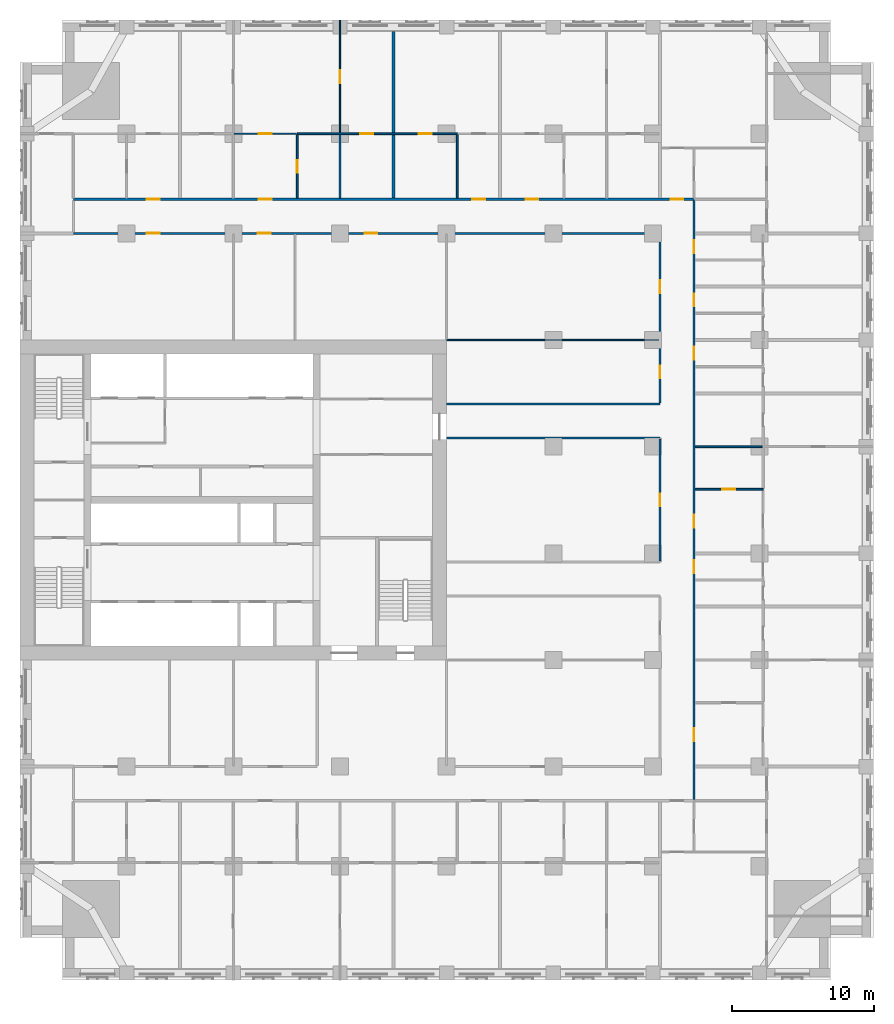
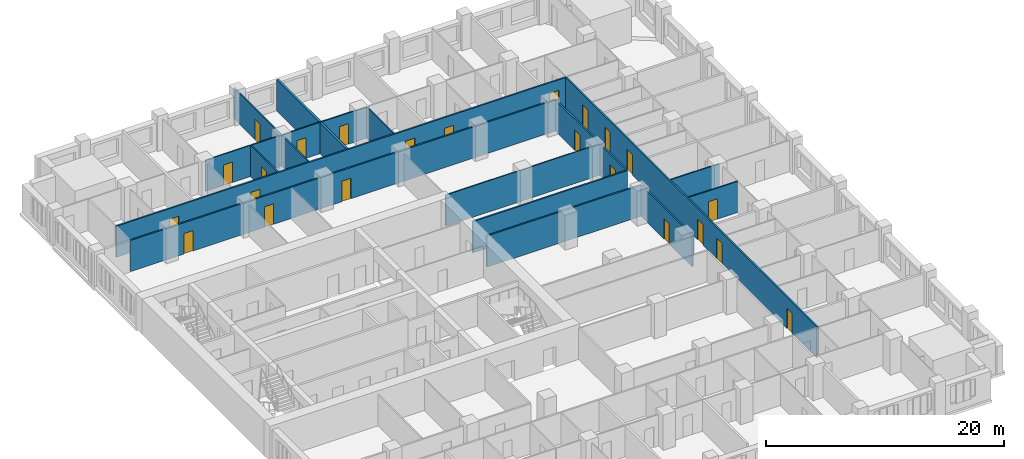
# One storey, part 9 of 14: 23 doors, 17 walls, 23 openings.
"""IFC4 building model written with IfcOpenShell, lengths in metres."""

from ifc_helpers import new_model, si_unit, direction, frame, frame_2d, origin, place, context, subcontext, project, spatial, rectangle, extrude, material, layer, layer_set, type_object, element, fill, save


model = new_model("IFC4")

# Units and contexts
model_context = context("Model", 3, precision=1e-05, world=origin(), true_north=direction((0.0, 1.0)))
body_context = subcontext(model_context, "Body", "Model", "MODEL_VIEW")
ifc_project = project(units=[si_unit("LENGTHUNIT", "METRE"), si_unit("AREAUNIT", "SQUARE_METRE"), si_unit("VOLUMEUNIT", "CUBIC_METRE"), si_unit("PLANEANGLEUNIT", "RADIAN"), si_unit("MASSUNIT", "GRAM", prefix="KILO")], contexts=[model_context])

# Site, building, storey
site_placement = place(None, origin())
site = spatial("IfcSite", under=ifc_project, at=site_placement, CompositionType="ELEMENT")
building_placement = place(site_placement, origin())
building = spatial("IfcBuilding", under=site, at=building_placement, Name="Tamorin Gate", CompositionType="ELEMENT")
storey_placement = place(building_placement, frame((0.0, 0.0, 70.0)))
storey = spatial("IfcBuildingStorey", under=building, at=storey_placement, Name="L16", CompositionType="ELEMENT", Elevation=70.0)

# Wall, openings, doors
ifc_material_1 = material(Name="Gypsum board partition")
ifc_layer_1 = layer(ifc_material_1, 0.14990234375)
ifc_layer_set_1 = layer_set([ifc_layer_1], Name="Corridor wall 150")
wall_type_1 = type_object("IfcWallType", Name="Corridor wall 150", PredefinedType="PARTITIONING", material=ifc_layer_set_1)
wall_1_placement = place(storey_placement, frame((33.75, 90.0, 0.0), z_axis=(0.0, 0.0, 1.0), x_axis=(1.0, 0.0, 0.0)))
wall_1 = element("IfcWall", 1, at=wall_1_placement, inside=storey, type_object=wall_type_1, Name="Corridor wall 150", PredefinedType="PARTITIONING", context=body_context, shape_type="SweptSolid", body=[
    extrude(rectangle(XDim=41.25, YDim=0.14990234375, at=frame_2d((20.625, 0.0))), origin(), (0.0, 0.0, 1.0), 3.199951171875),
])
opening_1_placement = place(wall_1_placement, frame((5.175048828125, 0.0, 0.0)))
opening_1 = element("IfcOpeningElement", 2, at=opening_1_placement, cuts=wall_1, Name="Opening DH3077", PredefinedType="OPENING", context=body_context, shape_type="SweptSolid", body=[
    extrude(rectangle(XDim=0.89990234375, YDim=2.10009765625, at=frame_2d((0.449951171875, 1.050048828125))), frame((0.0, 0.0849609375, 0.0), z_axis=(0.0, -1.0, 0.0), x_axis=(1.0, 0.0, 0.0)), (0.0, 0.0, 1.0), 0.169921875),
])
opening_2_placement = place(wall_1_placement, frame((12.97509765625, 0.0, 0.0)))
opening_2 = element("IfcOpeningElement", 3, at=opening_2_placement, cuts=wall_1, Name="Opening DH3078", PredefinedType="OPENING", context=body_context, shape_type="SweptSolid", body=[
    extrude(rectangle(XDim=0.89990234375, YDim=2.10009765625, at=frame_2d((0.449951171875, 1.050048828125))), frame((0.0, 0.0849609375, 0.0), z_axis=(0.0, -1.0, 0.0), x_axis=(1.0, 0.0, 0.0)), (0.0, 0.0, 1.0), 0.169921875),
])
opening_3_placement = place(wall_1_placement, frame((20.47509765625, 0.0, 0.0)))
opening_3 = element("IfcOpeningElement", 4, at=opening_3_placement, cuts=wall_1, Name="Opening DH3079", PredefinedType="OPENING", context=body_context, shape_type="SweptSolid", body=[
    extrude(rectangle(XDim=0.89990234375, YDim=2.10009765625, at=frame_2d((0.449951171875, 1.050048828125))), frame((0.0, 0.0849609375, 0.0), z_axis=(0.0, -1.0, 0.0), x_axis=(1.0, 0.0, 0.0)), (0.0, 0.0, 1.0), 0.169921875),
])
ifc_material_2 = material(Name="Timber door leaf", Category="wood")
door_type_1 = type_object("IfcDoorType", Name="Door 900 x 2100 FD30S", OperationType="NOTDEFINED", PredefinedType="DOOR", material=ifc_material_2)
door_1_placement = place(opening_1_placement, origin())
door_1 = element("IfcDoor", 5, at=door_1_placement, inside=storey, type_object=door_type_1, Name="Door DH3077", OperationType="SINGLE_SWING_RIGHT", OverallHeight=2.10009765625, OverallWidth=0.89990234375, PredefinedType="DOOR", context=body_context, shape_type="SweptSolid", body=[
    extrude(rectangle(XDim=0.89990234375, YDim=2.10009765625, at=frame_2d((0.449951171875, 1.050048828125))), frame((0.0, 0.02490234375, 0.0), z_axis=(0.0, -1.0, 0.0), x_axis=(1.0, 0.0, 0.0)), (0.0, 0.0, 1.0), 0.050048828125),
])
fill(opening_1, door_1)
door_2_placement = place(opening_2_placement, origin())
door_2 = element("IfcDoor", 6, at=door_2_placement, inside=storey, type_object=door_type_1, Name="Door DH3078", OperationType="SINGLE_SWING_RIGHT", OverallHeight=2.10009765625, OverallWidth=0.89990234375, PredefinedType="DOOR", context=body_context, shape_type="SweptSolid", body=[
    extrude(rectangle(XDim=0.89990234375, YDim=2.10009765625, at=frame_2d((0.449951171875, 1.050048828125))), frame((0.0, 0.02490234375, 0.0), z_axis=(0.0, -1.0, 0.0), x_axis=(1.0, 0.0, 0.0)), (0.0, 0.0, 1.0), 0.050048828125),
])
fill(opening_2, door_2)
door_3_placement = place(opening_3_placement, origin())
door_3 = element("IfcDoor", 7, at=door_3_placement, inside=storey, type_object=door_type_1, Name="Door DH3079", OperationType="SINGLE_SWING_RIGHT", OverallHeight=2.10009765625, OverallWidth=0.89990234375, PredefinedType="DOOR", context=body_context, shape_type="SweptSolid", body=[
    extrude(rectangle(XDim=0.89990234375, YDim=2.10009765625, at=frame_2d((0.449951171875, 1.050048828125))), frame((0.0, 0.02490234375, 0.0), z_axis=(0.0, -1.0, 0.0), x_axis=(1.0, 0.0, 0.0)), (0.0, 0.0, 1.0), 0.050048828125),
])
fill(opening_3, door_3)

wall_2_placement = place(storey_placement, frame((33.75, 92.39990234375, 0.0), z_axis=(0.0, 0.0, 1.0), x_axis=(1.0, 0.0, 0.0)))
wall_2 = element("IfcWall", 8, at=wall_2_placement, inside=storey, type_object=wall_type_1, Name="Corridor wall 150", PredefinedType="PARTITIONING", context=body_context, shape_type="SweptSolid", body=[
    extrude(rectangle(XDim=43.64990234375, YDim=0.14990234375, at=frame_2d((21.824951171875, 0.0))), origin(), (0.0, 0.0, 1.0), 3.199951171875),
])
opening_4_placement = place(wall_2_placement, frame((5.175048828125, 0.0, 0.0)))
opening_4 = element("IfcOpeningElement", 9, at=opening_4_placement, cuts=wall_2, Name="Opening DH3022", PredefinedType="OPENING", context=body_context, shape_type="SweptSolid", body=[
    extrude(rectangle(XDim=0.89990234375, YDim=2.10009765625, at=frame_2d((0.449951171875, 1.050048828125))), frame((0.0, 0.0849609375, 0.0), z_axis=(0.0, -1.0, 0.0), x_axis=(1.0, 0.0, 0.0)), (0.0, 0.0, 1.0), 0.169921875),
])
opening_5_placement = place(wall_2_placement, frame((13.050048828125, 0.0, 0.0)))
opening_5 = element("IfcOpeningElement", 10, at=opening_5_placement, cuts=wall_2, Name="Opening DH3025", PredefinedType="OPENING", context=body_context, shape_type="SweptSolid", body=[
    extrude(rectangle(XDim=0.89990234375, YDim=2.10009765625, at=frame_2d((0.449951171875, 1.050048828125))), frame((0.0, 0.0849609375, 0.0), z_axis=(0.0, -1.0, 0.0), x_axis=(1.0, 0.0, 0.0)), (0.0, 0.0, 1.0), 0.169921875),
])
opening_6_placement = place(wall_2_placement, frame((28.050048828125, 0.0, 0.0)))
opening_6 = element("IfcOpeningElement", 11, at=opening_6_placement, cuts=wall_2, Name="Opening DH3032", PredefinedType="OPENING", context=body_context, shape_type="SweptSolid", body=[
    extrude(rectangle(XDim=0.89990234375, YDim=2.10009765625, at=frame_2d((0.449951171875, 1.050048828125))), frame((0.0, 0.0849609375, 0.0), z_axis=(0.0, -1.0, 0.0), x_axis=(1.0, 0.0, 0.0)), (0.0, 0.0, 1.0), 0.169921875),
])
opening_7_placement = place(wall_2_placement, frame((31.800048828125, 0.0, 0.0)))
opening_7 = element("IfcOpeningElement", 12, at=opening_7_placement, cuts=wall_2, Name="Opening DH3034", PredefinedType="OPENING", context=body_context, shape_type="SweptSolid", body=[
    extrude(rectangle(XDim=0.89990234375, YDim=2.10009765625, at=frame_2d((0.449951171875, 1.050048828125))), frame((0.0, 0.0849609375, 0.0), z_axis=(0.0, -1.0, 0.0), x_axis=(1.0, 0.0, 0.0)), (0.0, 0.0, 1.0), 0.169921875),
])
opening_8_placement = place(wall_2_placement, frame((42.0, 0.0, 0.0)))
opening_8 = element("IfcOpeningElement", 13, at=opening_8_placement, cuts=wall_2, Name="Opening DH3067", PredefinedType="OPENING", context=body_context, shape_type="SweptSolid", body=[
    extrude(rectangle(XDim=0.89990234375, YDim=2.10009765625, at=frame_2d((0.449951171875, 1.050048828125))), frame((0.0, 0.0849609375, 0.0), z_axis=(0.0, -1.0, 0.0), x_axis=(1.0, 0.0, 0.0)), (0.0, 0.0, 1.0), 0.169921875),
])
door_4_placement = place(opening_4_placement, origin())
door_4 = element("IfcDoor", 14, at=door_4_placement, inside=storey, type_object=door_type_1, Name="Door DH3022", OperationType="SINGLE_SWING_LEFT", OverallHeight=2.10009765625, OverallWidth=0.89990234375, PredefinedType="DOOR", context=body_context, shape_type="SweptSolid", body=[
    extrude(rectangle(XDim=0.89990234375, YDim=2.10009765625, at=frame_2d((0.449951171875, 1.050048828125))), frame((0.0, 0.02490234375, 0.0), z_axis=(0.0, -1.0, 0.0), x_axis=(1.0, 0.0, 0.0)), (0.0, 0.0, 1.0), 0.050048828125),
])
fill(opening_4, door_4)
door_5_placement = place(opening_5_placement, origin())
door_5 = element("IfcDoor", 15, at=door_5_placement, inside=storey, type_object=door_type_1, Name="Door DH3025", OperationType="SINGLE_SWING_LEFT", OverallHeight=2.10009765625, OverallWidth=0.89990234375, PredefinedType="DOOR", context=body_context, shape_type="SweptSolid", body=[
    extrude(rectangle(XDim=0.89990234375, YDim=2.10009765625, at=frame_2d((0.449951171875, 1.050048828125))), frame((0.0, 0.02490234375, 0.0), z_axis=(0.0, -1.0, 0.0), x_axis=(1.0, 0.0, 0.0)), (0.0, 0.0, 1.0), 0.050048828125),
])
fill(opening_5, door_5)
door_6_placement = place(opening_6_placement, origin())
door_6 = element("IfcDoor", 16, at=door_6_placement, inside=storey, type_object=door_type_1, Name="Door DH3032", OperationType="SINGLE_SWING_LEFT", OverallHeight=2.10009765625, OverallWidth=0.89990234375, PredefinedType="DOOR", context=body_context, shape_type="SweptSolid", body=[
    extrude(rectangle(XDim=0.89990234375, YDim=2.10009765625, at=frame_2d((0.449951171875, 1.050048828125))), frame((0.0, 0.02490234375, 0.0), z_axis=(0.0, -1.0, 0.0), x_axis=(1.0, 0.0, 0.0)), (0.0, 0.0, 1.0), 0.050048828125),
])
fill(opening_6, door_6)
door_7_placement = place(opening_7_placement, origin())
door_7 = element("IfcDoor", 17, at=door_7_placement, inside=storey, type_object=door_type_1, Name="Door DH3034", OperationType="SINGLE_SWING_LEFT", OverallHeight=2.10009765625, OverallWidth=0.89990234375, PredefinedType="DOOR", context=body_context, shape_type="SweptSolid", body=[
    extrude(rectangle(XDim=0.89990234375, YDim=2.10009765625, at=frame_2d((0.449951171875, 1.050048828125))), frame((0.0, 0.02490234375, 0.0), z_axis=(0.0, -1.0, 0.0), x_axis=(1.0, 0.0, 0.0)), (0.0, 0.0, 1.0), 0.050048828125),
])
fill(opening_7, door_7)
door_8_placement = place(opening_8_placement, origin())
door_8 = element("IfcDoor", 18, at=door_8_placement, inside=storey, type_object=door_type_1, Name="Door DH3067", OperationType="SINGLE_SWING_RIGHT", OverallHeight=2.10009765625, OverallWidth=0.89990234375, PredefinedType="DOOR", context=body_context, shape_type="SweptSolid", body=[
    extrude(rectangle(XDim=0.89990234375, YDim=2.10009765625, at=frame_2d((0.449951171875, 1.050048828125))), frame((0.0, 0.02490234375, 0.0), z_axis=(0.0, -1.0, 0.0), x_axis=(1.0, 0.0, 0.0)), (0.0, 0.0, 1.0), 0.050048828125),
])
fill(opening_8, door_8)

# Wall, opening, door
wall_3_placement = place(storey_placement, frame((75.0, 66.97509765625, 0.0), z_axis=(0.0, 0.0, 1.0), x_axis=(0.0, 1.0, 0.0)))
wall_3 = element("IfcWall", 19, at=wall_3_placement, inside=storey, type_object=wall_type_1, Name="Corridor wall 150", PredefinedType="PARTITIONING", context=body_context, shape_type="SweptSolid", body=[
    extrude(rectangle(XDim=8.5498046875, YDim=0.14990234375, at=frame_2d((4.27490234375, 0.0))), origin(), (0.0, 0.0, 1.0), 3.199951171875),
])
opening_9_placement = place(wall_3_placement, frame((3.824951171875, 0.0, 0.0)))
opening_9 = element("IfcOpeningElement", 20, at=opening_9_placement, cuts=wall_3, Name="Opening DH3082", PredefinedType="OPENING", context=body_context, shape_type="SweptSolid", body=[
    extrude(rectangle(XDim=0.89990234375, YDim=2.10009765625, at=frame_2d((0.449951171875, 1.050048828125))), frame((0.0, 0.0849609375, 0.0), z_axis=(0.0, -1.0, 0.0), x_axis=(1.0, 0.0, 0.0)), (0.0, 0.0, 1.0), 0.169921875),
])
door_9_placement = place(opening_9_placement, origin())
door_9 = element("IfcDoor", 21, at=door_9_placement, inside=storey, type_object=door_type_1, Name="Door DH3082", OperationType="SINGLE_SWING_LEFT", OverallHeight=2.10009765625, OverallWidth=0.89990234375, PredefinedType="DOOR", context=body_context, shape_type="SweptSolid", body=[
    extrude(rectangle(XDim=0.89990234375, YDim=2.10009765625, at=frame_2d((0.449951171875, 1.050048828125))), frame((0.0, 0.02490234375, 0.0), z_axis=(0.0, -1.0, 0.0), x_axis=(1.0, 0.0, 0.0)), (0.0, 0.0, 1.0), 0.050048828125),
])
fill(opening_9, door_9)

# Wall, openings, doors
wall_4_placement = place(storey_placement, frame((75.0, 78.074951171875, 0.0), z_axis=(0.0, 0.0, 1.0), x_axis=(0.0, 1.0, 0.0)))
wall_4 = element("IfcWall", 22, at=wall_4_placement, inside=storey, type_object=wall_type_1, Name="Corridor wall 150", PredefinedType="PARTITIONING", context=body_context, shape_type="SweptSolid", body=[
    extrude(rectangle(XDim=11.85009765625, YDim=0.14990234375, at=frame_2d((5.925048828125, 0.0))), origin(), (0.0, 0.0, 1.0), 3.199951171875),
])
opening_10_placement = place(wall_4_placement, frame((7.72509765625, 0.0, 0.0)))
opening_10 = element("IfcOpeningElement", 23, at=opening_10_placement, cuts=wall_4, Name="Opening DH3080", PredefinedType="OPENING", context=body_context, shape_type="SweptSolid", body=[
    extrude(rectangle(XDim=0.89990234375, YDim=2.10009765625, at=frame_2d((0.449951171875, 1.050048828125))), frame((0.0, 0.0849609375, 0.0), z_axis=(0.0, -1.0, 0.0), x_axis=(1.0, 0.0, 0.0)), (0.0, 0.0, 1.0), 0.169921875),
])
opening_11_placement = place(wall_4_placement, frame((1.72509765625, 0.0, 0.0)))
opening_11 = element("IfcOpeningElement", 24, at=opening_11_placement, cuts=wall_4, Name="Opening DH3083", PredefinedType="OPENING", context=body_context, shape_type="SweptSolid", body=[
    extrude(rectangle(XDim=0.89990234375, YDim=2.10009765625, at=frame_2d((0.449951171875, 1.050048828125))), frame((0.0, 0.0849609375, 0.0), z_axis=(0.0, -1.0, 0.0), x_axis=(1.0, 0.0, 0.0)), (0.0, 0.0, 1.0), 0.169921875),
])
door_10_placement = place(opening_10_placement, origin())
door_10 = element("IfcDoor", 25, at=door_10_placement, inside=storey, type_object=door_type_1, Name="Door DH3080", OperationType="SINGLE_SWING_LEFT", OverallHeight=2.10009765625, OverallWidth=0.89990234375, PredefinedType="DOOR", context=body_context, shape_type="SweptSolid", body=[
    extrude(rectangle(XDim=0.89990234375, YDim=2.10009765625, at=frame_2d((0.449951171875, 1.050048828125))), frame((0.0, 0.02490234375, 0.0), z_axis=(0.0, -1.0, 0.0), x_axis=(1.0, 0.0, 0.0)), (0.0, 0.0, 1.0), 0.050048828125),
])
fill(opening_10, door_10)
door_11_placement = place(opening_11_placement, origin())
door_11 = element("IfcDoor", 26, at=door_11_placement, inside=storey, type_object=door_type_1, Name="Door DH3083", OperationType="SINGLE_SWING_LEFT", OverallHeight=2.10009765625, OverallWidth=0.89990234375, PredefinedType="DOOR", context=body_context, shape_type="SweptSolid", body=[
    extrude(rectangle(XDim=0.89990234375, YDim=2.10009765625, at=frame_2d((0.449951171875, 1.050048828125))), frame((0.0, 0.02490234375, 0.0), z_axis=(0.0, -1.0, 0.0), x_axis=(1.0, 0.0, 0.0)), (0.0, 0.0, 1.0), 0.050048828125),
])
fill(opening_11, door_11)

wall_5_placement = place(storey_placement, frame((77.39990234375, 50.175048828125, 0.0), z_axis=(0.0, 0.0, 1.0), x_axis=(0.0, 1.0, 0.0)))
wall_5 = element("IfcWall", 27, at=wall_5_placement, inside=storey, type_object=wall_type_1, Name="Corridor wall 150", PredefinedType="PARTITIONING", context=body_context, shape_type="SweptSolid", body=[
    extrude(rectangle(XDim=42.14990234375, YDim=0.14990234375, at=frame_2d((21.074951171875, 0.0))), origin(), (0.0, 0.0, 1.0), 3.199951171875),
])
opening_12_placement = place(wall_5_placement, frame((4.125, 0.0, 0.0)))
opening_12 = element("IfcOpeningElement", 28, at=opening_12_placement, cuts=wall_5, Name="Opening DH3039", PredefinedType="OPENING", context=body_context, shape_type="SweptSolid", body=[
    extrude(rectangle(XDim=0.89990234375, YDim=2.10009765625, at=frame_2d((0.449951171875, 1.050048828125))), frame((0.0, 0.0849609375, 0.0), z_axis=(0.0, -1.0, 0.0), x_axis=(1.0, 0.0, 0.0)), (0.0, 0.0, 1.0), 0.169921875),
])
opening_13_placement = place(wall_5_placement, frame((15.9375, 0.0, 0.0)))
opening_13 = element("IfcOpeningElement", 29, at=opening_13_placement, cuts=wall_5, Name="Opening DH3045", PredefinedType="OPENING", context=body_context, shape_type="SweptSolid", body=[
    extrude(rectangle(XDim=0.89990234375, YDim=2.10009765625, at=frame_2d((0.449951171875, 1.050048828125))), frame((0.0, 0.0849609375, 0.0), z_axis=(0.0, -1.0, 0.0), x_axis=(1.0, 0.0, 0.0)), (0.0, 0.0, 1.0), 0.169921875),
])
opening_14_placement = place(wall_5_placement, frame((19.125, 0.0, 0.0)))
opening_14 = element("IfcOpeningElement", 30, at=opening_14_placement, cuts=wall_5, Name="Opening DH3047", PredefinedType="OPENING", context=body_context, shape_type="SweptSolid", body=[
    extrude(rectangle(XDim=0.89990234375, YDim=2.10009765625, at=frame_2d((0.449951171875, 1.050048828125))), frame((0.0, 0.0849609375, 0.0), z_axis=(0.0, -1.0, 0.0), x_axis=(1.0, 0.0, 0.0)), (0.0, 0.0, 1.0), 0.169921875),
])
opening_15_placement = place(wall_5_placement, frame((30.9375, 0.0, 0.0)))
opening_15 = element("IfcOpeningElement", 31, at=opening_15_placement, cuts=wall_5, Name="Opening DH3053", PredefinedType="OPENING", context=body_context, shape_type="SweptSolid", body=[
    extrude(rectangle(XDim=0.89990234375, YDim=2.10009765625, at=frame_2d((0.449951171875, 1.050048828125))), frame((0.0, 0.0849609375, 0.0), z_axis=(0.0, -1.0, 0.0), x_axis=(1.0, 0.0, 0.0)), (0.0, 0.0, 1.0), 0.169921875),
])
opening_16_placement = place(wall_5_placement, frame((34.6875, 0.0, 0.0)))
opening_16 = element("IfcOpeningElement", 32, at=opening_16_placement, cuts=wall_5, Name="Opening DH3056", PredefinedType="OPENING", context=body_context, shape_type="SweptSolid", body=[
    extrude(rectangle(XDim=0.89990234375, YDim=2.10009765625, at=frame_2d((0.449951171875, 1.050048828125))), frame((0.0, 0.0849609375, 0.0), z_axis=(0.0, -1.0, 0.0), x_axis=(1.0, 0.0, 0.0)), (0.0, 0.0, 1.0), 0.169921875),
])
opening_17_placement = place(wall_5_placement, frame((38.4375, 0.0, 0.0)))
opening_17 = element("IfcOpeningElement", 33, at=opening_17_placement, cuts=wall_5, Name="Opening DH3059", PredefinedType="OPENING", context=body_context, shape_type="SweptSolid", body=[
    extrude(rectangle(XDim=0.89990234375, YDim=2.10009765625, at=frame_2d((0.449951171875, 1.050048828125))), frame((0.0, 0.0849609375, 0.0), z_axis=(0.0, -1.0, 0.0), x_axis=(1.0, 0.0, 0.0)), (0.0, 0.0, 1.0), 0.169921875),
])
door_12_placement = place(opening_12_placement, origin())
door_12 = element("IfcDoor", 34, at=door_12_placement, inside=storey, type_object=door_type_1, Name="Door DH3039", OperationType="SINGLE_SWING_RIGHT", OverallHeight=2.10009765625, OverallWidth=0.89990234375, PredefinedType="DOOR", context=body_context, shape_type="SweptSolid", body=[
    extrude(rectangle(XDim=0.89990234375, YDim=2.10009765625, at=frame_2d((0.449951171875, 1.050048828125))), frame((0.0, 0.02490234375, 0.0), z_axis=(0.0, -1.0, 0.0), x_axis=(1.0, 0.0, 0.0)), (0.0, 0.0, 1.0), 0.050048828125),
])
fill(opening_12, door_12)
door_13_placement = place(opening_13_placement, origin())
door_13 = element("IfcDoor", 35, at=door_13_placement, inside=storey, type_object=door_type_1, Name="Door DH3045", OperationType="SINGLE_SWING_RIGHT", OverallHeight=2.10009765625, OverallWidth=0.89990234375, PredefinedType="DOOR", context=body_context, shape_type="SweptSolid", body=[
    extrude(rectangle(XDim=0.89990234375, YDim=2.10009765625, at=frame_2d((0.449951171875, 1.050048828125))), frame((0.0, 0.02490234375, 0.0), z_axis=(0.0, -1.0, 0.0), x_axis=(1.0, 0.0, 0.0)), (0.0, 0.0, 1.0), 0.050048828125),
])
fill(opening_13, door_13)
door_14_placement = place(opening_14_placement, origin())
door_14 = element("IfcDoor", 36, at=door_14_placement, inside=storey, type_object=door_type_1, Name="Door DH3047", OperationType="SINGLE_SWING_RIGHT", OverallHeight=2.10009765625, OverallWidth=0.89990234375, PredefinedType="DOOR", context=body_context, shape_type="SweptSolid", body=[
    extrude(rectangle(XDim=0.89990234375, YDim=2.10009765625, at=frame_2d((0.449951171875, 1.050048828125))), frame((0.0, 0.02490234375, 0.0), z_axis=(0.0, -1.0, 0.0), x_axis=(1.0, 0.0, 0.0)), (0.0, 0.0, 1.0), 0.050048828125),
])
fill(opening_14, door_14)
door_15_placement = place(opening_15_placement, origin())
door_15 = element("IfcDoor", 37, at=door_15_placement, inside=storey, type_object=door_type_1, Name="Door DH3053", OperationType="SINGLE_SWING_RIGHT", OverallHeight=2.10009765625, OverallWidth=0.89990234375, PredefinedType="DOOR", context=body_context, shape_type="SweptSolid", body=[
    extrude(rectangle(XDim=0.89990234375, YDim=2.10009765625, at=frame_2d((0.449951171875, 1.050048828125))), frame((0.0, 0.02490234375, 0.0), z_axis=(0.0, -1.0, 0.0), x_axis=(1.0, 0.0, 0.0)), (0.0, 0.0, 1.0), 0.050048828125),
])
fill(opening_15, door_15)
door_16_placement = place(opening_16_placement, origin())
door_16 = element("IfcDoor", 38, at=door_16_placement, inside=storey, type_object=door_type_1, Name="Door DH3056", OperationType="SINGLE_SWING_RIGHT", OverallHeight=2.10009765625, OverallWidth=0.89990234375, PredefinedType="DOOR", context=body_context, shape_type="SweptSolid", body=[
    extrude(rectangle(XDim=0.89990234375, YDim=2.10009765625, at=frame_2d((0.449951171875, 1.050048828125))), frame((0.0, 0.02490234375, 0.0), z_axis=(0.0, -1.0, 0.0), x_axis=(1.0, 0.0, 0.0)), (0.0, 0.0, 1.0), 0.050048828125),
])
fill(opening_16, door_16)
door_17_placement = place(opening_17_placement, origin())
door_17 = element("IfcDoor", 39, at=door_17_placement, inside=storey, type_object=door_type_1, Name="Door DH3059", OperationType="SINGLE_SWING_RIGHT", OverallHeight=2.10009765625, OverallWidth=0.89990234375, PredefinedType="DOOR", context=body_context, shape_type="SweptSolid", body=[
    extrude(rectangle(XDim=0.89990234375, YDim=2.10009765625, at=frame_2d((0.449951171875, 1.050048828125))), frame((0.0, 0.02490234375, 0.0), z_axis=(0.0, -1.0, 0.0), x_axis=(1.0, 0.0, 0.0)), (0.0, 0.0, 1.0), 0.050048828125),
])
fill(opening_17, door_17)

# Walls
ifc_layer_2 = layer(ifc_material_1, 0.199951171875)
ifc_layer_set_2 = layer_set([ifc_layer_2], Name="Demising wall 200")
wall_type_2 = type_object("IfcWallType", Name="Demising wall 200", PredefinedType="PARTITIONING", material=ifc_layer_set_2)
wall_6_placement = place(storey_placement, frame((56.25, 92.47509765625, 0.0), z_axis=(0.0, 0.0, 1.0), x_axis=(0.0, 1.0, 0.0)))
element("IfcWall", 40, at=wall_6_placement, inside=storey, type_object=wall_type_2, Name="Demising wall 200", PredefinedType="PARTITIONING", context=body_context, shape_type="SweptSolid", body=[
    extrude(rectangle(XDim=11.71484375, YDim=0.199951171875, at=frame_2d((5.857421875, 0.0))), origin(), (0.0, 0.0, 1.0), 3.199951171875),
])
ifc_layer_3 = layer(ifc_material_1, 0.14990234375)
ifc_layer_set_3 = layer_set([ifc_layer_3], Name="Lobby wall 150")
wall_type_3 = type_object("IfcWallType", Name="Lobby wall 150", PredefinedType="PARTITIONING", material=ifc_layer_set_3)
for number, where, z_axis, x_axis, name in (
    (41, (60.0, 75.60009765625, 0.0), (0.0, 0.0, 1.0), (1.0, 0.0, 0.0), "Lobby wall 150"),
    (42, (60.0, 78.0, 0.0), (0.0, 0.0, 1.0), (1.0, 0.0, 0.0), "Lobby wall 150"),
):
    element("IfcWall", number, at=place(storey_placement, frame(where, z_axis=z_axis, x_axis=x_axis)), inside=storey, type_object=wall_type_3, Name=name, PredefinedType="PARTITIONING", context=body_context, shape_type="SweptSolid", body=[
        extrude(rectangle(XDim=15.0, YDim=0.14990234375, at=frame_2d((7.5, 0.0))), origin(), (0.0, 0.0, 1.0), 3.199951171875),
    ])
ifc_layer_4 = layer(ifc_material_1, 0.10009765625)
ifc_layer_set_4 = layer_set([ifc_layer_4], Name="Room partition 100")
wall_type_4 = type_object("IfcWallType", Name="Room partition 100", PredefinedType="PARTITIONING", material=ifc_layer_set_4)
wall_7_placement = place(storey_placement, frame((60.0, 82.5, 0.0), z_axis=(0.0, 0.0, 1.0), x_axis=(1.0, 0.0, 0.0)))
element("IfcWall", 43, at=wall_7_placement, inside=storey, type_object=wall_type_4, Name="Room partition 100", PredefinedType="PARTITIONING", context=body_context, shape_type="SweptSolid", body=[
    extrude(rectangle(XDim=14.925048828125, YDim=0.10009765625, at=frame_2d((7.46240234375, 0.0))), origin(), (0.0, 0.0, 1.0), 3.199951171875),
])

# Wall, opening, door
wall_8_placement = place(storey_placement, frame((45.0625, 97.0, 0.0), z_axis=(0.0, 0.0, 1.0), x_axis=(1.0, 0.0, 0.0)))
wall_8 = element("IfcWall", 44, at=wall_8_placement, inside=storey, type_object=wall_type_4, Name="Room partition 100", PredefinedType="PARTITIONING", context=body_context, shape_type="SweptSolid", body=[
    extrude(rectangle(XDim=4.375, YDim=0.10009765625, at=frame_2d((2.1875, 0.0))), origin(), (0.0, 0.0, 1.0), 3.199951171875),
])
opening_18_placement = place(wall_8_placement, frame((1.737548828125, 0.0, 0.0)))
opening_18 = element("IfcOpeningElement", 45, at=opening_18_placement, cuts=wall_8, Name="Opening DH3026", PredefinedType="OPENING", context=body_context, shape_type="SweptSolid", body=[
    extrude(rectangle(XDim=0.89990234375, YDim=2.10009765625, at=frame_2d((0.449951171875, 1.050048828125))), frame((0.0, 0.06005859375, 0.0), z_axis=(0.0, -1.0, 0.0), x_axis=(1.0, 0.0, 0.0)), (0.0, 0.0, 1.0), 0.1201171875),
])
door_type_2 = type_object("IfcDoorType", Name="Door 900 x 2100", OperationType="NOTDEFINED", PredefinedType="DOOR", material=ifc_material_2)
door_18_placement = place(opening_18_placement, origin())
door_18 = element("IfcDoor", 46, at=door_18_placement, inside=storey, type_object=door_type_2, Name="Door DH3026", OperationType="SINGLE_SWING_RIGHT", OverallHeight=2.10009765625, OverallWidth=0.89990234375, PredefinedType="DOOR", context=body_context, shape_type="SweptSolid", body=[
    extrude(rectangle(XDim=0.89990234375, YDim=2.10009765625, at=frame_2d((0.449951171875, 1.050048828125))), frame((0.0, 0.02490234375, 0.0), z_axis=(0.0, -1.0, 0.0), x_axis=(1.0, 0.0, 0.0)), (0.0, 0.0, 1.0), 0.050048828125),
])
fill(opening_18, door_18)

wall_9_placement = place(storey_placement, frame((52.5, 97.0625, 0.0), z_axis=(0.0, 0.0, 1.0), x_axis=(0.0, 1.0, 0.0)))
wall_9 = element("IfcWall", 47, at=wall_9_placement, inside=storey, type_object=wall_type_4, Name="Room partition 100", PredefinedType="PARTITIONING", context=body_context, shape_type="SweptSolid", body=[
    extrude(rectangle(XDim=7.9375, YDim=0.10009765625, at=frame_2d((3.96875, 0.0))), origin(), (0.0, 0.0, 1.0), 3.199951171875),
])
opening_19_placement = place(wall_9_placement, frame((3.487548828125, 0.0, 0.0)))
opening_19 = element("IfcOpeningElement", 48, at=opening_19_placement, cuts=wall_9, Name="Opening DH3030", PredefinedType="OPENING", context=body_context, shape_type="SweptSolid", body=[
    extrude(rectangle(XDim=0.89990234375, YDim=2.10009765625, at=frame_2d((0.449951171875, 1.050048828125))), frame((0.0, 0.06005859375, 0.0), z_axis=(0.0, -1.0, 0.0), x_axis=(1.0, 0.0, 0.0)), (0.0, 0.0, 1.0), 0.1201171875),
])
door_19_placement = place(opening_19_placement, origin())
door_19 = element("IfcDoor", 49, at=door_19_placement, inside=storey, type_object=door_type_2, Name="Door DH3030", OperationType="SINGLE_SWING_LEFT", OverallHeight=2.10009765625, OverallWidth=0.89990234375, PredefinedType="DOOR", context=body_context, shape_type="SweptSolid", body=[
    extrude(rectangle(XDim=0.89990234375, YDim=2.10009765625, at=frame_2d((0.449951171875, 1.050048828125))), frame((0.0, 0.02490234375, 0.0), z_axis=(0.0, -1.0, 0.0), x_axis=(1.0, 0.0, 0.0)), (0.0, 0.0, 1.0), 0.050048828125),
])
fill(opening_19, door_19)

ifc_layer_5 = layer(ifc_material_1, 0.125)
ifc_layer_set_5 = layer_set([ifc_layer_5], Name="Wet wall 125")
wall_type_5 = type_object("IfcWallType", Name="Wet wall 125", PredefinedType="PARTITIONING", material=ifc_layer_set_5)
wall_10_placement = place(storey_placement, frame((77.47509765625, 72.0, 0.0), z_axis=(0.0, 0.0, 1.0), x_axis=(1.0, 0.0, 0.0)))
wall_10 = element("IfcWall", 50, at=wall_10_placement, inside=storey, type_object=wall_type_5, Name="Wet wall 125", PredefinedType="PARTITIONING", context=body_context, shape_type="SweptSolid", body=[
    extrude(rectangle(XDim=4.77490234375, YDim=0.125, at=frame_2d((2.387451171875, 0.0))), origin(), (0.0, 0.0, 1.0), 3.199951171875),
])
opening_20_placement = place(wall_10_placement, frame((1.89990234375, 0.0, 0.0)))
opening_20 = element("IfcOpeningElement", 51, at=opening_20_placement, cuts=wall_10, Name="Opening DH3049", PredefinedType="OPENING", context=body_context, shape_type="SweptSolid", body=[
    extrude(rectangle(XDim=0.89990234375, YDim=2.10009765625, at=frame_2d((0.449951171875, 1.050048828125))), frame((0.0, 0.072509765625, 0.0), z_axis=(0.0, -1.0, 0.0), x_axis=(1.0, 0.0, 0.0)), (0.0, 0.0, 1.0), 0.14501953125),
])
door_20_placement = place(opening_20_placement, origin())
door_20 = element("IfcDoor", 52, at=door_20_placement, inside=storey, type_object=door_type_2, Name="Door DH3049", OperationType="SINGLE_SWING_RIGHT", OverallHeight=2.10009765625, OverallWidth=0.89990234375, PredefinedType="DOOR", context=body_context, shape_type="SweptSolid", body=[
    extrude(rectangle(XDim=0.89990234375, YDim=2.10009765625, at=frame_2d((0.449951171875, 1.050048828125))), frame((0.0, 0.02490234375, 0.0), z_axis=(0.0, -1.0, 0.0), x_axis=(1.0, 0.0, 0.0)), (0.0, 0.0, 1.0), 0.050048828125),
])
fill(opening_20, door_20)

# Wall
wall_11_placement = place(storey_placement, frame((77.47509765625, 75.0, 0.0), z_axis=(0.0, 0.0, 1.0), x_axis=(1.0, 0.0, 0.0)))
element("IfcWall", 53, at=wall_11_placement, inside=storey, type_object=wall_type_5, Name="Wet wall 125", PredefinedType="PARTITIONING", context=body_context, shape_type="SweptSolid", body=[
    extrude(rectangle(XDim=4.71240234375, YDim=0.125, at=frame_2d((2.356201171875, 0.0))), origin(), (0.0, 0.0, 1.0), 3.199951171875),
])

# Wall, openings, doors
wall_12_placement = place(storey_placement, frame((49.5, 97.0, 0.0), z_axis=(0.0, 0.0, 1.0), x_axis=(1.0, 0.0, 0.0)))
wall_12 = element("IfcWall", 54, at=wall_12_placement, inside=storey, type_object=wall_type_5, Name="Wet wall 125", PredefinedType="PARTITIONING", context=body_context, shape_type="SweptSolid", body=[
    extrude(rectangle(XDim=11.25, YDim=0.125, at=frame_2d((5.625, 0.0))), origin(), (0.0, 0.0, 1.0), 3.199951171875),
])
opening_21_placement = place(wall_12_placement, frame((4.425048828125, 0.0, 0.0)))
opening_21 = element("IfcOpeningElement", 55, at=opening_21_placement, cuts=wall_12, Name="Opening DH3028", PredefinedType="OPENING", context=body_context, shape_type="SweptSolid", body=[
    extrude(rectangle(XDim=0.89990234375, YDim=2.10009765625, at=frame_2d((0.449951171875, 1.050048828125))), frame((0.0, 0.072509765625, 0.0), z_axis=(0.0, -1.0, 0.0), x_axis=(1.0, 0.0, 0.0)), (0.0, 0.0, 1.0), 0.14501953125),
])
opening_22_placement = place(wall_12_placement, frame((8.550048828125, 0.0, 0.0)))
opening_22 = element("IfcOpeningElement", 56, at=opening_22_placement, cuts=wall_12, Name="Opening DH3031", PredefinedType="OPENING", context=body_context, shape_type="SweptSolid", body=[
    extrude(rectangle(XDim=0.89990234375, YDim=2.10009765625, at=frame_2d((0.449951171875, 1.050048828125))), frame((0.0, 0.072509765625, 0.0), z_axis=(0.0, -1.0, 0.0), x_axis=(1.0, 0.0, 0.0)), (0.0, 0.0, 1.0), 0.14501953125),
])
door_21_placement = place(opening_21_placement, origin())
door_21 = element("IfcDoor", 57, at=door_21_placement, inside=storey, type_object=door_type_2, Name="Door DH3028", OperationType="SINGLE_SWING_RIGHT", OverallHeight=2.10009765625, OverallWidth=0.89990234375, PredefinedType="DOOR", context=body_context, shape_type="SweptSolid", body=[
    extrude(rectangle(XDim=0.89990234375, YDim=2.10009765625, at=frame_2d((0.449951171875, 1.050048828125))), frame((0.0, 0.02490234375, 0.0), z_axis=(0.0, -1.0, 0.0), x_axis=(1.0, 0.0, 0.0)), (0.0, 0.0, 1.0), 0.050048828125),
])
fill(opening_21, door_21)
door_22_placement = place(opening_22_placement, origin())
door_22 = element("IfcDoor", 58, at=door_22_placement, inside=storey, type_object=door_type_2, Name="Door DH3031", OperationType="SINGLE_SWING_RIGHT", OverallHeight=2.10009765625, OverallWidth=0.89990234375, PredefinedType="DOOR", context=body_context, shape_type="SweptSolid", body=[
    extrude(rectangle(XDim=0.89990234375, YDim=2.10009765625, at=frame_2d((0.449951171875, 1.050048828125))), frame((0.0, 0.02490234375, 0.0), z_axis=(0.0, -1.0, 0.0), x_axis=(1.0, 0.0, 0.0)), (0.0, 0.0, 1.0), 0.050048828125),
])
fill(opening_22, door_22)

# Wall, opening, door
wall_13_placement = place(storey_placement, frame((49.5, 92.47509765625, 0.0), z_axis=(0.0, 0.0, 1.0), x_axis=(0.0, 1.0, 0.0)))
wall_13 = element("IfcWall", 59, at=wall_13_placement, inside=storey, type_object=wall_type_5, Name="Wet wall 125", PredefinedType="PARTITIONING", context=body_context, shape_type="SweptSolid", body=[
    extrude(rectangle(XDim=4.46240234375, YDim=0.125, at=frame_2d((2.231201171875, 0.0))), origin(), (0.0, 0.0, 1.0), 3.199951171875),
])
opening_23_placement = place(wall_13_placement, frame((1.77490234375, 0.0, 0.0)))
opening_23 = element("IfcOpeningElement", 60, at=opening_23_placement, cuts=wall_13, Name="Opening DH3027", PredefinedType="OPENING", context=body_context, shape_type="SweptSolid", body=[
    extrude(rectangle(XDim=0.89990234375, YDim=2.10009765625, at=frame_2d((0.449951171875, 1.050048828125))), frame((0.0, 0.072509765625, 0.0), z_axis=(0.0, -1.0, 0.0), x_axis=(1.0, 0.0, 0.0)), (0.0, 0.0, 1.0), 0.14501953125),
])
door_23_placement = place(opening_23_placement, origin())
door_23 = element("IfcDoor", 61, at=door_23_placement, inside=storey, type_object=door_type_2, Name="Door DH3027", OperationType="SINGLE_SWING_LEFT", OverallHeight=2.10009765625, OverallWidth=0.89990234375, PredefinedType="DOOR", context=body_context, shape_type="SweptSolid", body=[
    extrude(rectangle(XDim=0.89990234375, YDim=2.10009765625, at=frame_2d((0.449951171875, 1.050048828125))), frame((0.0, 0.02490234375, 0.0), z_axis=(0.0, -1.0, 0.0), x_axis=(1.0, 0.0, 0.0)), (0.0, 0.0, 1.0), 0.050048828125),
])
fill(opening_23, door_23)

# Walls
for number, where, z_axis, x_axis, name in (
    (62, (52.5, 92.47509765625, 0.0), (0.0, 0.0, 1.0), (0.0, 1.0, 0.0), "Wet wall 125"),
    (63, (60.75, 92.47509765625, 0.0), (0.0, 0.0, 1.0), (0.0, 1.0, 0.0), "Wet wall 125"),
):
    element("IfcWall", number, at=place(storey_placement, frame(where, z_axis=z_axis, x_axis=x_axis)), inside=storey, type_object=wall_type_5, Name=name, PredefinedType="PARTITIONING", context=body_context, shape_type="SweptSolid", body=[
        extrude(rectangle(XDim=4.46240234375, YDim=0.125, at=frame_2d((2.231201171875, 0.0))), origin(), (0.0, 0.0, 1.0), 3.199951171875),
    ])

save(model, "model.ifc")
